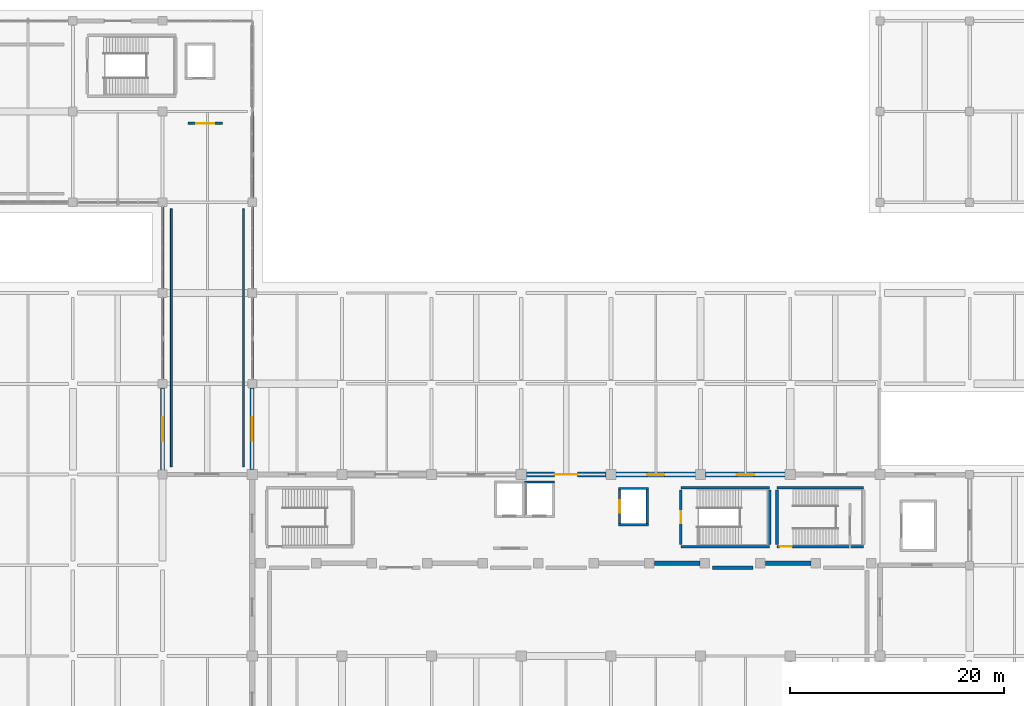
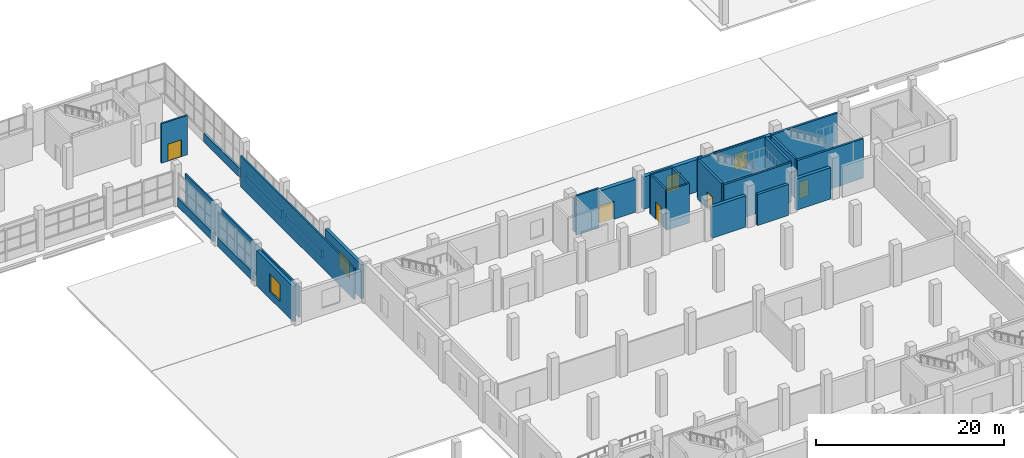
# One storey, part 90 of 107: 28 walls, 5 doors, 4 windows, 9 openings.
"""IFC4 building model written with IfcOpenShell, lengths in metres."""

from ifc_helpers import new_model, si_unit, direction, frame, frame_2d, origin, place, context, subcontext, project, spatial, rectangle, extrude, material, layer, layer_set, type_object, element, fill, save


model = new_model("IFC4")

# Units and contexts
model_context = context("Model", 3, precision=1e-05, world=origin(), true_north=direction((0.0, 1.0)))
body_context = subcontext(model_context, "Body", "Model", "MODEL_VIEW")
ifc_project = project(units=[si_unit("LENGTHUNIT", "METRE"), si_unit("AREAUNIT", "SQUARE_METRE"), si_unit("VOLUMEUNIT", "CUBIC_METRE"), si_unit("PLANEANGLEUNIT", "RADIAN"), si_unit("MASSUNIT", "GRAM", prefix="KILO")], contexts=[model_context])

# Site, building, storey
site_placement = place(None, origin())
site = spatial("IfcSite", under=ifc_project, at=site_placement, CompositionType="ELEMENT")
building_placement = place(site_placement, origin())
building = spatial("IfcBuilding", under=site, at=building_placement, Name="Solvento Point Concert Hall", CompositionType="ELEMENT")
storey_placement = place(building_placement, origin())
storey = spatial("IfcBuildingStorey", under=building, at=storey_placement, Name="L00", CompositionType="ELEMENT", Elevation=0.0)

# Walls
ifc_material_1 = material(Name="Acoustic Double-Stud Gypsum Partition")
ifc_layer_1 = layer(ifc_material_1, 0.179931640625)
ifc_layer_set_1 = layer_set([ifc_layer_1], Name="Acoustic Double-Stud Gypsum Partition")
wall_type_1 = type_object("IfcWallType", Name="AcousticPartition_180", PredefinedType="PARTITIONING", material=ifc_layer_set_1)
for number, where, z_axis, x_axis, name in (
    (1, (73.580078125, 118.3798828125, 0.0), (0.0, 0.0, 1.0), (0.0, -1.0, 0.0), "Interior acoustic partition PW-63 L00"),
    (2, (66.820068359375, 94.219970703125, 0.0), (0.0, 0.0, 1.0), (0.0, 1.0, 0.0), "Interior acoustic partition PW-63 L00"),
):
    element("IfcWall", number, at=place(storey_placement, frame(where, z_axis=z_axis, x_axis=x_axis)), inside=storey, type_object=wall_type_1, Name=name, PredefinedType="PARTITIONING", context=body_context, shape_type="SweptSolid", body=[
        extrude(rectangle(XDim=24.159912109375, YDim=0.179931640625, at=frame_2d((12.080078125, 0.0))), origin(), (0.0, 0.0, 1.0), 4.0400390625),
    ])

# Wall, opening, door
ifc_material_2 = material(Name="Acoustic Double-Stud Gypsum Partition")
ifc_layer_2 = layer(ifc_material_2, 0.2080078125)
ifc_layer_set_2 = layer_set([ifc_layer_2], Name="Acoustic Double-Stud Gypsum Partition")
wall_type_2 = type_object("IfcWallType", Name="AcousticPartition_208", PredefinedType="PARTITIONING", material=ifc_layer_set_2)
wall_1_placement = place(storey_placement, frame((68.39990234375, 126.39990234375, 0.0), z_axis=(0.0, 0.0, 1.0), x_axis=(1.0, 0.0, 0.0)))
wall_1 = element("IfcWall", 3, at=wall_1_placement, inside=storey, type_object=wall_type_2, Name="Lift lobby partition LP-03 L00", PredefinedType="PARTITIONING", context=body_context, shape_type="SweptSolid", body=[
    extrude(rectangle(XDim=3.2001953125, YDim=0.2080078125, at=frame_2d((1.60009765625, 0.0))), origin(), (0.0, 0.0, 1.0), 5.1201171875),
])
opening_1_placement = place(wall_1_placement, frame((0.77490234375, 0.0, 0.0)))
opening_1 = element("IfcOpeningElement", 4, at=opening_1_placement, cuts=wall_1, Name="Opening D-FL1", PredefinedType="OPENING", context=body_context, shape_type="SweptSolid", body=[
    extrude(rectangle(XDim=1.64990234375, YDim=2.199951171875, at=frame_2d((0.824951171875, 1.10009765625))), frame((0.0, 0.114013671875, 0.0), z_axis=(0.0, -1.0, 0.0), x_axis=(1.0, 0.0, 0.0)), (0.0, 0.0, 1.0), 0.22802734375),
])
ifc_material_3 = material(Name="Hollow Metal Acoustic Fire Door")
door_type_1 = type_object("IfcDoorType", Name="FireLobbyDoor_1600", OperationType="DOUBLE_DOOR_SINGLE_SWING", PredefinedType="DOOR", material=ifc_material_3)
door_1_placement = place(opening_1_placement, origin())
door_1 = element("IfcDoor", 5, at=door_1_placement, inside=storey, type_object=door_type_1, Name="Lift lobby door LP-03 L00", OperationType="DOUBLE_DOOR_SINGLE_SWING", OverallHeight=2.199951171875, OverallWidth=1.64990234375, PredefinedType="DOOR", context=body_context, shape_type="SweptSolid", body=[
    extrude(rectangle(XDim=1.64990234375, YDim=2.199951171875, at=frame_2d((0.824951171875, 1.10009765625))), frame((0.0, 0.02490234375, 0.0), z_axis=(0.0, -1.0, 0.0), x_axis=(1.0, 0.0, 0.0)), (0.0, 0.0, 1.0), 0.050048828125),
])
fill(opening_1, door_1)

# Walls
ifc_material_4 = material(Name="Acoustic Double-Stud Gypsum Partition")
ifc_layer_3 = layer(ifc_material_4, 0.340087890625)
ifc_layer_set_3 = layer_set([ifc_layer_3], Name="Acoustic Double-Stud Gypsum Partition")
wall_type_3 = type_object("IfcWallType", Name="AcousticPartition_340", PredefinedType="PARTITIONING", material=ifc_layer_set_3)
wall_2_placement = place(storey_placement, frame((117.5, 84.780029296875, 0.0), z_axis=(0.0, 0.0, 1.0), x_axis=(1.0, 0.0, 0.0)))
element("IfcWall", 6, at=wall_2_placement, inside=storey, type_object=wall_type_3, Name="Interior acoustic partition PW-24 L00", PredefinedType="PARTITIONING", context=body_context, shape_type="SweptSolid", body=[
    extrude(rectangle(XDim=3.800048828125, YDim=0.340087890625, at=frame_2d((1.89990234375, 0.0))), origin(), (0.0, 0.0, 1.0), 4.0400390625),
])
ifc_material_5 = material(Name="Concrete C40/50", Category="concrete")
ifc_layer_4 = layer(ifc_material_5, 0.300048828125)
ifc_layer_set_4 = layer_set([ifc_layer_4], Name="Concrete C40/50")
wall_type_4 = type_object("IfcWallType", Name="CoreShearWall_300", PredefinedType="SHEAR", material=ifc_layer_set_4)
for number, where, z_axis, x_axis, name in (
    (7, (122.85009765625, 86.75, 0.0), (0.0, 0.0, 1.0), (-1.0, 0.0, 0.0), "Stair core shear wall W-SH1 ST-03 L00"),
    (8, (114.550048828125, 92.25, 0.0), (0.0, 0.0, 1.0), (1.0, 0.0, 0.0), "Stair core shear wall W-SH1 ST-03 L00"),
):
    element("IfcWall", number, at=place(storey_placement, frame(where, z_axis=z_axis, x_axis=x_axis)), inside=storey, type_object=wall_type_4, Name=name, PredefinedType="SHEAR", context=body_context, shape_type="SweptSolid", body=[
        extrude(rectangle(XDim=8.300048828125, YDim=0.25, at=frame_2d((4.14990234375, 0.0))), origin(), (0.0, 0.0, 1.0), 5.1201171875),
    ])

# Wall, opening, door
wall_3_placement = place(storey_placement, frame((114.550048828125, 86.949951171875, 0.0), z_axis=(0.0, 0.0, 1.0), x_axis=(0.0, 1.0, 0.0)))
wall_3 = element("IfcWall", 9, at=wall_3_placement, inside=storey, type_object=wall_type_4, Name="Stair core shear wall W-SH1 ST-03 L00", PredefinedType="SHEAR", context=body_context, shape_type="SweptSolid", body=[
    extrude(rectangle(XDim=5.10009765625, YDim=0.25, at=frame_2d((2.550048828125, 0.0))), origin(), (0.0, 0.0, 1.0), 5.1201171875),
])
opening_2_placement = place(wall_3_placement, frame((1.97509765625, 0.0, 0.0)))
opening_2 = element("IfcOpeningElement", 10, at=opening_2_placement, cuts=wall_3, Name="Opening D-ST1", PredefinedType="OPENING", context=body_context, shape_type="SweptSolid", body=[
    extrude(rectangle(XDim=1.14990234375, YDim=2.179931640625, at=frame_2d((0.574951171875, 1.08984375))), frame((0.0, 0.135009765625, 0.0), z_axis=(0.0, -1.0, 0.0), x_axis=(1.0, 0.0, 0.0)), (0.0, 0.0, 1.0), 0.27001953125),
])
ifc_material_6 = material(Name="Hollow Metal Acoustic Fire Door")
door_type_2 = type_object("IfcDoorType", Name="StairFireDoor_1150", OperationType="NOTDEFINED", PredefinedType="DOOR", material=ifc_material_6)
door_2_placement = place(opening_2_placement, origin())
door_2 = element("IfcDoor", 11, at=door_2_placement, inside=storey, type_object=door_type_2, Name="Protected exit stair door ST-03 L00", OperationType="SINGLE_SWING_RIGHT", OverallHeight=2.179931640625, OverallWidth=1.14990234375, PredefinedType="DOOR", context=body_context, shape_type="SweptSolid", body=[
    extrude(rectangle(XDim=1.14990234375, YDim=2.179931640625, at=frame_2d((0.574951171875, 1.08984375))), frame((0.0, 0.02490234375, 0.0), z_axis=(0.0, -1.0, 0.0), x_axis=(1.0, 0.0, 0.0)), (0.0, 0.0, 1.0), 0.050048828125),
])
fill(opening_2, door_2)

# Wall
wall_4_placement = place(storey_placement, frame((122.85009765625, 92.050048828125, 0.0), z_axis=(0.0, 0.0, 1.0), x_axis=(0.0, -1.0, 0.0)))
element("IfcWall", 12, at=wall_4_placement, inside=storey, type_object=wall_type_4, Name="Stair core shear wall W-SH1 ST-03 L00", PredefinedType="SHEAR", context=body_context, shape_type="SweptSolid", body=[
    extrude(rectangle(XDim=5.10009765625, YDim=0.25, at=frame_2d((2.550048828125, 0.0))), origin(), (0.0, 0.0, 1.0), 5.1201171875),
])

# Wall, opening, door
wall_5_placement = place(storey_placement, frame((131.64990234375, 86.75, 0.0), z_axis=(0.0, 0.0, 1.0), x_axis=(-1.0, 0.0, 0.0)))
wall_5 = element("IfcWall", 13, at=wall_5_placement, inside=storey, type_object=wall_type_4, Name="Stair core shear wall W-SH1 VOM-04 L00", PredefinedType="SHEAR", context=body_context, shape_type="SweptSolid", body=[
    extrude(rectangle(XDim=8.099853515625, YDim=0.25, at=frame_2d((4.0498046875, 0.0))), origin(), (0.0, 0.0, 1.0), 5.1201171875),
])
opening_3_placement = place(wall_5_placement, frame((6.699951171875, 0.0, 0.0)))
opening_3 = element("IfcOpeningElement", 14, at=opening_3_placement, cuts=wall_5, Name="Opening D-ST1", PredefinedType="OPENING", context=body_context, shape_type="SweptSolid", body=[
    extrude(rectangle(XDim=1.14990234375, YDim=2.179931640625, at=frame_2d((0.574951171875, 1.08984375))), frame((0.0, 0.135009765625, 0.0), z_axis=(0.0, -1.0, 0.0), x_axis=(1.0, 0.0, 0.0)), (0.0, 0.0, 1.0), 0.27001953125),
])
door_3_placement = place(opening_3_placement, origin())
door_3 = element("IfcDoor", 15, at=door_3_placement, inside=storey, type_object=door_type_2, Name="Protected exit stair door VOM-04 L00", OperationType="SINGLE_SWING_RIGHT", OverallHeight=2.179931640625, OverallWidth=1.14990234375, PredefinedType="DOOR", context=body_context, shape_type="SweptSolid", body=[
    extrude(rectangle(XDim=1.14990234375, YDim=2.179931640625, at=frame_2d((0.574951171875, 1.08984375))), frame((0.0, 0.02490234375, 0.0), z_axis=(0.0, -1.0, 0.0), x_axis=(1.0, 0.0, 0.0)), (0.0, 0.0, 1.0), 0.050048828125),
])
fill(opening_3, door_3)

# Walls
wall_6_placement = place(storey_placement, frame((123.550048828125, 92.25, 0.0), z_axis=(0.0, 0.0, 1.0), x_axis=(1.0, 0.0, 0.0)))
element("IfcWall", 16, at=wall_6_placement, inside=storey, type_object=wall_type_4, Name="Stair core shear wall W-SH1 VOM-04 L00", PredefinedType="SHEAR", context=body_context, shape_type="SweptSolid", body=[
    extrude(rectangle(XDim=8.099853515625, YDim=0.25, at=frame_2d((4.0498046875, 0.0))), origin(), (0.0, 0.0, 1.0), 5.1201171875),
])
wall_7_placement = place(storey_placement, frame((123.550048828125, 86.949951171875, 0.0), z_axis=(0.0, 0.0, 1.0), x_axis=(0.0, 1.0, 0.0)))
element("IfcWall", 17, at=wall_7_placement, inside=storey, type_object=wall_type_4, Name="Stair core shear wall W-SH1 VOM-04 L00", PredefinedType="SHEAR", context=body_context, shape_type="SweptSolid", body=[
    extrude(rectangle(XDim=5.10009765625, YDim=0.25, at=frame_2d((2.550048828125, 0.0))), origin(), (0.0, 0.0, 1.0), 5.1201171875),
])
for number, where, z_axis, x_axis, name in (
    (18, (108.68994140625, 88.800048828125, 0.0), (0.0, 0.0, 1.0), (1.0, 0.0, 0.0), "Elevator shaft shear wall W-SH1 LF-02 L00"),
    (19, (108.68994140625, 92.199951171875, 0.0), (0.0, 0.0, 1.0), (1.0, 0.0, 0.0), "Elevator shaft shear wall W-SH1 LF-02 L00"),
):
    element("IfcWall", number, at=place(storey_placement, frame(where, z_axis=z_axis, x_axis=x_axis)), inside=storey, type_object=wall_type_4, Name=name, PredefinedType="SHEAR", context=body_context, shape_type="SweptSolid", body=[
        extrude(rectangle(XDim=2.820068359375, YDim=0.219970703125, at=frame_2d((1.41015625, 0.0))), origin(), (0.0, 0.0, 1.0), 5.1201171875),
    ])

# Wall, opening, door
wall_8_placement = place(storey_placement, frame((108.800048828125, 88.909912109375, 0.0), z_axis=(0.0, 0.0, 1.0), x_axis=(0.0, 1.0, 0.0)))
wall_8 = element("IfcWall", 20, at=wall_8_placement, inside=storey, type_object=wall_type_4, Name="Elevator shaft shear wall W-SH1 LF-02 L00", PredefinedType="SHEAR", context=body_context, shape_type="SweptSolid", body=[
    extrude(rectangle(XDim=3.18017578125, YDim=0.219970703125, at=frame_2d((1.590087890625, 0.0))), origin(), (0.0, 0.0, 1.0), 5.1201171875),
])
opening_4_placement = place(wall_8_placement, frame((0.989990234375, 0.0, 0.0)))
opening_4 = element("IfcOpeningElement", 21, at=opening_4_placement, cuts=wall_8, Name="Opening LD-01", PredefinedType="OPENING", context=body_context, shape_type="SweptSolid", body=[
    extrude(rectangle(XDim=1.199951171875, YDim=2.25, at=frame_2d((0.60009765625, 1.125))), frame((0.0, 0.119873046875, 0.0), z_axis=(0.0, -1.0, 0.0), x_axis=(1.0, 0.0, 0.0)), (0.0, 0.0, 1.0), 0.239990234375),
])
ifc_material_7 = material(Name="Hollow Metal Acoustic Fire Door")
door_type_3 = type_object("IfcDoorType", Name="LiftLandingDoor_FF", OperationType="SLIDING_TO_LEFT", PredefinedType="DOOR", material=ifc_material_7)
door_4_placement = place(opening_4_placement, origin())
door_4 = element("IfcDoor", 22, at=door_4_placement, inside=storey, type_object=door_type_3, Name="Elevator landing door LF-02 L00", OperationType="SLIDING_TO_LEFT", OverallHeight=2.25, OverallWidth=1.199951171875, PredefinedType="DOOR", context=body_context, shape_type="SweptSolid", body=[
    extrude(rectangle(XDim=1.199951171875, YDim=2.25, at=frame_2d((0.60009765625, 1.125))), frame((0.0, 0.02490234375, 0.0), z_axis=(0.0, -1.0, 0.0), x_axis=(1.0, 0.0, 0.0)), (0.0, 0.0, 1.0), 0.050048828125),
])
fill(opening_4, door_4)

# Walls
wall_9_placement = place(storey_placement, frame((111.39990234375, 88.909912109375, 0.0), z_axis=(0.0, 0.0, 1.0), x_axis=(0.0, 1.0, 0.0)))
element("IfcWall", 23, at=wall_9_placement, inside=storey, type_object=wall_type_4, Name="Elevator shaft shear wall W-SH1 LF-02 L00", PredefinedType="SHEAR", context=body_context, shape_type="SweptSolid", body=[
    extrude(rectangle(XDim=3.18017578125, YDim=0.219970703125, at=frame_2d((1.590087890625, 0.0))), origin(), (0.0, 0.0, 1.0), 5.1201171875),
])
wall_10_placement = place(storey_placement, frame((99.909912109375, 92.800048828125, 0.0), z_axis=(0.0, 0.0, 1.0), x_axis=(1.0, 0.0, 0.0)))
element("IfcWall", 24, at=wall_10_placement, inside=storey, type_object=wall_type_4, Name="Elevator shaft shear wall W-SH1 LP-02 L00", PredefinedType="SHEAR", context=body_context, shape_type="SweptSolid", body=[
    extrude(rectangle(XDim=2.800048828125, YDim=0.219970703125, at=frame_2d((1.39990234375, 0.0))), origin(), (0.0, 0.0, 1.0), 5.1201171875),
])
ifc_material_8 = material(Name="Concrete C40/50", Category="concrete")
ifc_layer_5 = layer(ifc_material_8, 0.39990234375)
ifc_layer_set_5 = layer_set([ifc_layer_5], Name="Concrete C40/50")
wall_type_5 = type_object("IfcWallType", Name="DrumShearWall_400", PredefinedType="SHEAR", material=ifc_layer_set_5)
for number, where, z_axis, x_axis, name in (
    (25, (112.080078125, 85.199951171875, 0.0), (0.0, 0.0, 1.0), (1.0, 0.0, 0.0), "Symphonic acoustic drum shear wall W-DR1 L00"),
    (26, (122.47998046875, 85.199951171875, 0.0), (0.0, 0.0, 1.0), (1.0, 0.0, 0.0), "Symphonic acoustic drum shear wall W-DR1 L00"),
):
    element("IfcWall", number, at=place(storey_placement, frame(where, z_axis=z_axis, x_axis=x_axis)), inside=storey, type_object=wall_type_5, Name=name, PredefinedType="SHEAR", context=body_context, shape_type="SweptSolid", body=[
        extrude(rectangle(XDim=4.239990234375, YDim=0.39990234375, at=frame_2d((2.1201171875, 0.0))), origin(), (0.0, 0.0, 1.0), 4.070068359375),
    ])

# Wall, opening, door
ifc_material_9 = material(Name="Concrete C40/50", Category="concrete")
ifc_layer_6 = layer(ifc_material_9, 0.47998046875)
ifc_layer_set_6 = layer_set([ifc_layer_6], Name="Concrete C40/50")
wall_type_6 = type_object("IfcWallType", Name="ExtWall_V1_Drum_480", PredefinedType="SOLIDWALL", material=ifc_layer_set_6)
wall_11_placement = place(storey_placement, frame((100.054931640625, 93.5, 0.0), z_axis=(0.0, 0.0, 1.0), x_axis=(1.0, 0.0, 0.0)))
wall_11 = element("IfcWall", 27, at=wall_11_placement, inside=storey, type_object=wall_type_6, Name="Exterior architectural concrete wall EW-46 L00", PredefinedType="SOLIDWALL", context=body_context, shape_type="SweptSolid", body=[
    extrude(rectangle(XDim=7.489990234375, YDim=0.47998046875, at=frame_2d((3.7451171875, 0.0))), origin(), (0.0, 0.0, 1.0), 4.27099609375),
])
opening_5_placement = place(wall_11_placement, frame((2.669921875, 0.0, 0.0)))
opening_5 = element("IfcOpeningElement", 28, at=opening_5_placement, cuts=wall_11, Name="Opening ED-04", PredefinedType="OPENING", context=body_context, shape_type="SweptSolid", body=[
    extrude(rectangle(XDim=2.14990234375, YDim=2.3798828125, at=frame_2d((1.074951171875, 1.18994140625))), frame((0.0, 0.25, 0.0), z_axis=(0.0, -1.0, 0.0), x_axis=(1.0, 0.0, 0.0)), (0.0, 0.0, 1.0), 0.5),
])
ifc_material_10 = material(Name="Anodized Bronze Aluminium", Category="aluminium")
door_type_4 = type_object("IfcDoorType", Name="PedestrianExitDoor_ED-04", OperationType="DOUBLE_DOOR_SINGLE_SWING", PredefinedType="DOOR", material=ifc_material_10)
door_5_placement = place(opening_5_placement, origin())
door_5 = element("IfcDoor", 29, at=door_5_placement, inside=storey, type_object=door_type_4, Name="Courtyard promenade pedestrian exit double door ED-04", OperationType="DOUBLE_DOOR_SINGLE_SWING", OverallHeight=2.3798828125, OverallWidth=2.14990234375, PredefinedType="DOOR", context=body_context, shape_type="SweptSolid", body=[
    extrude(rectangle(XDim=2.14990234375, YDim=2.3798828125, at=frame_2d((1.074951171875, 1.18994140625))), frame((0.0, 0.02490234375, 0.0), z_axis=(0.0, -1.0, 0.0), x_axis=(1.0, 0.0, 0.0)), (0.0, 0.0, 1.0), 0.050048828125),
])
fill(opening_5, door_5)

# Wall, opening, window
wall_12_placement = place(storey_placement, frame((108.455078125, 93.5, 0.0), z_axis=(0.0, 0.0, 1.0), x_axis=(1.0, 0.0, 0.0)))
wall_12 = element("IfcWall", 30, at=wall_12_placement, inside=storey, type_object=wall_type_6, Name="Exterior architectural concrete wall EW-46 L00", PredefinedType="SOLIDWALL", context=body_context, shape_type="SweptSolid", body=[
    extrude(rectangle(XDim=7.489990234375, YDim=0.47998046875, at=frame_2d((3.7451171875, 0.0))), origin(), (0.0, 0.0, 1.0), 4.194091796875),
])
opening_6_placement = place(wall_12_placement, frame((2.945068359375, 0.0, 0.949951171875)))
opening_6 = element("IfcOpeningElement", 31, at=opening_6_placement, cuts=wall_12, Name="Opening WN-44", PredefinedType="OPENING", context=body_context, shape_type="SweptSolid", body=[
    extrude(rectangle(XDim=1.60009765625, YDim=2.199951171875, at=frame_2d((0.800048828125, 1.10009765625))), frame((0.0, 0.25, 0.0), z_axis=(0.0, -1.0, 0.0), x_axis=(1.0, 0.0, 0.0)), (0.0, 0.0, 1.0), 0.5),
])
ifc_material_11 = material(Name="Hurricane Laminated Low-E Glass", Category="glass")
window_type_1 = type_object("IfcWindowType", Name="Win_V1_GroundGallery", PartitioningType="SINGLE_PANEL", PredefinedType="WINDOW", material=ifc_material_11)
window_1_placement = place(opening_6_placement, origin())
window_1 = element("IfcWindow", 32, at=window_1_placement, inside=storey, type_object=window_type_1, Name="Impact acoustic window WN-44", OverallHeight=2.199951171875, OverallWidth=1.60009765625, PartitioningType="SINGLE_PANEL", PredefinedType="WINDOW", context=body_context, shape_type="SweptSolid", body=[
    extrude(rectangle(XDim=1.60009765625, YDim=2.199951171875, at=frame_2d((0.800048828125, 1.10009765625))), frame((0.0, 0.030029296875, 0.0), z_axis=(0.0, -1.0, 0.0), x_axis=(1.0, 0.0, 0.0)), (0.0, 0.0, 1.0), 0.06005859375),
])
fill(opening_6, window_1)

wall_13_placement = place(storey_placement, frame((116.85498046875, 93.5, 0.0), z_axis=(0.0, 0.0, 1.0), x_axis=(1.0, 0.0, 0.0)))
wall_13 = element("IfcWall", 33, at=wall_13_placement, inside=storey, type_object=wall_type_6, Name="Exterior architectural concrete wall EW-46 L00", PredefinedType="SOLIDWALL", context=body_context, shape_type="SweptSolid", body=[
    extrude(rectangle(XDim=7.489990234375, YDim=0.47998046875, at=frame_2d((3.7451171875, 0.0))), origin(), (0.0, 0.0, 1.0), 4.10498046875),
])
opening_7_placement = place(wall_13_placement, frame((2.945068359375, 0.0, 0.949951171875)))
opening_7 = element("IfcOpeningElement", 34, at=opening_7_placement, cuts=wall_13, Name="Opening WN-44", PredefinedType="OPENING", context=body_context, shape_type="SweptSolid", body=[
    extrude(rectangle(XDim=1.60009765625, YDim=2.199951171875, at=frame_2d((0.800048828125, 1.10009765625))), frame((0.0, 0.25, 0.0), z_axis=(0.0, -1.0, 0.0), x_axis=(1.0, 0.0, 0.0)), (0.0, 0.0, 1.0), 0.5),
])
window_2_placement = place(opening_7_placement, origin())
window_2 = element("IfcWindow", 35, at=window_2_placement, inside=storey, type_object=window_type_1, Name="Impact acoustic window WN-44", OverallHeight=2.199951171875, OverallWidth=1.60009765625, PartitioningType="SINGLE_PANEL", PredefinedType="WINDOW", context=body_context, shape_type="SweptSolid", body=[
    extrude(rectangle(XDim=1.60009765625, YDim=2.199951171875, at=frame_2d((0.800048828125, 1.10009765625))), frame((0.0, 0.030029296875, 0.0), z_axis=(0.0, -1.0, 0.0), x_axis=(1.0, 0.0, 0.0)), (0.0, 0.0, 1.0), 0.06005859375),
])
fill(opening_7, window_2)

ifc_material_12 = material(Name="Concrete C40/50", Category="concrete")
ifc_layer_7 = layer(ifc_material_12, 0.3701171875)
ifc_layer_set_7 = layer_set([ifc_layer_7], Name="Concrete C40/50")
wall_type_7 = type_object("IfcWallType", Name="ExtWall_V4_Reh_370", PredefinedType="SOLIDWALL", material=ifc_layer_set_7)
wall_14_placement = place(storey_placement, frame((66.0, 93.889892578125, 0.0), z_axis=(0.0, 0.0, 1.0), x_axis=(0.0, 1.0, 0.0)))
wall_14 = element("IfcWall", 36, at=wall_14_placement, inside=storey, type_object=wall_type_7, Name="Exterior architectural concrete wall EW-85 L00", PredefinedType="SOLIDWALL", context=body_context, shape_type="SweptSolid", body=[
    extrude(rectangle(XDim=7.72021484375, YDim=0.3701171875, at=frame_2d((3.860107421875, 0.0))), origin(), (0.0, 0.0, 1.0), 4.574951171875),
])
opening_8_placement = place(wall_14_placement, frame((2.760009765625, 0.0, 0.949951171875)))
opening_8 = element("IfcOpeningElement", 37, at=opening_8_placement, cuts=wall_14, Name="Opening WN-82", PredefinedType="OPENING", context=body_context, shape_type="SweptSolid", body=[
    extrude(rectangle(XDim=2.199951171875, YDim=2.25, at=frame_2d((1.10009765625, 1.125))), frame((0.0, 0.195068359375, 0.0), z_axis=(0.0, -1.0, 0.0), x_axis=(1.0, 0.0, 0.0)), (0.0, 0.0, 1.0), 0.39013671875),
])
ifc_material_13 = material(Name="Hurricane Laminated Low-E Glass", Category="glass")
window_type_2 = type_object("IfcWindowType", Name="Win_V4_Seminar_L00", PartitioningType="SINGLE_PANEL", PredefinedType="WINDOW", material=ifc_material_13)
window_3_placement = place(opening_8_placement, origin())
window_3 = element("IfcWindow", 38, at=window_3_placement, inside=storey, type_object=window_type_2, Name="Impact acoustic window WN-82", OverallHeight=2.25, OverallWidth=2.199951171875, PartitioningType="SINGLE_PANEL", PredefinedType="WINDOW", context=body_context, shape_type="SweptSolid", body=[
    extrude(rectangle(XDim=2.199951171875, YDim=2.25, at=frame_2d((1.10009765625, 1.125))), frame((0.0, 0.030029296875, 0.0), z_axis=(0.0, -1.0, 0.0), x_axis=(1.0, 0.0, 0.0)), (0.0, 0.0, 1.0), 0.06005859375),
])
fill(opening_8, window_3)

wall_15_placement = place(storey_placement, frame((74.39990234375, 101.610107421875, 0.0), z_axis=(0.0, 0.0, 1.0), x_axis=(0.0, -1.0, 0.0)))
wall_15 = element("IfcWall", 39, at=wall_15_placement, inside=storey, type_object=wall_type_7, Name="Exterior architectural concrete wall EW-85 L00", PredefinedType="SOLIDWALL", context=body_context, shape_type="SweptSolid", body=[
    extrude(rectangle(XDim=7.655029296875, YDim=0.3701171875, at=frame_2d((3.82763671875, 0.0))), origin(), (0.0, 0.0, 1.0), 4.430908203125),
])
opening_9_placement = place(wall_15_placement, frame((2.7275390625, 0.0, 0.949951171875)))
opening_9 = element("IfcOpeningElement", 40, at=opening_9_placement, cuts=wall_15, Name="Opening WN-82", PredefinedType="OPENING", context=body_context, shape_type="SweptSolid", body=[
    extrude(rectangle(XDim=2.199951171875, YDim=2.25, at=frame_2d((1.10009765625, 1.125))), frame((0.0, 0.195068359375, 0.0), z_axis=(0.0, -1.0, 0.0), x_axis=(1.0, 0.0, 0.0)), (0.0, 0.0, 1.0), 0.39013671875),
])
window_4_placement = place(opening_9_placement, origin())
window_4 = element("IfcWindow", 41, at=window_4_placement, inside=storey, type_object=window_type_2, Name="Impact acoustic window WN-82", OverallHeight=2.25, OverallWidth=2.199951171875, PartitioningType="SINGLE_PANEL", PredefinedType="WINDOW", context=body_context, shape_type="SweptSolid", body=[
    extrude(rectangle(XDim=2.199951171875, YDim=2.25, at=frame_2d((1.10009765625, 1.125))), frame((0.0, 0.030029296875, 0.0), z_axis=(0.0, -1.0, 0.0), x_axis=(1.0, 0.0, 0.0)), (0.0, 0.0, 1.0), 0.06005859375),
])
fill(opening_9, window_4)

# Walls
ifc_material_14 = material(Name="Concrete C40/50", Category="concrete")
ifc_layer_8 = layer(ifc_material_14, 0.260009765625)
ifc_layer_set_8 = layer_set([ifc_layer_8], Name="Concrete C40/50")
wall_type_8 = type_object("IfcWallType", Name="Parapet_Ring_260", PredefinedType="PARAPET", material=ifc_layer_set_8)
for number, where, z_axis, x_axis, name in (
    (42, (66.0, 102.429931640625, 0.0), (0.0, 0.0, 1.0), (0.0, 1.0, 0.0), "Sliding elliptical white concrete ring spandrel PR-01 L00"),
    (43, (66.0, 110.929931640625, 0.0), (0.0, 0.0, 1.0), (0.0, 1.0, 0.0), "Sliding elliptical white concrete ring spandrel PR-01 L00"),
):
    element("IfcWall", number, at=place(storey_placement, frame(where, z_axis=z_axis, x_axis=x_axis)), inside=storey, type_object=wall_type_8, Name=name, PredefinedType="PARAPET", context=body_context, shape_type="SweptSolid", body=[
        extrude(rectangle(XDim=7.64013671875, YDim=0.260009765625, at=frame_2d((3.820068359375, 0.0))), origin(), (0.0, 0.0, 1.0), 1.1201171875),
    ])
wall_16_placement = place(storey_placement, frame((74.39990234375, 127.5, 0.0), z_axis=(0.0, 0.0, 1.0), x_axis=(0.0, -1.0, 0.0)))
element("IfcWall", 44, at=wall_16_placement, inside=storey, type_object=wall_type_8, Name="Sliding elliptical white concrete ring spandrel PR-01 L00", PredefinedType="PARAPET", context=body_context, shape_type="SweptSolid", body=[
    extrude(rectangle(XDim=8.070068359375, YDim=0.260009765625, at=frame_2d((4.03515625, 0.0))), origin(), (0.0, 0.0, 1.0), 1.1201171875),
])
for number, where, z_axis, x_axis, name in (
    (45, (74.39990234375, 110.070068359375, 0.0), (0.0, 0.0, 1.0), (0.0, -1.0, 0.0), "Sliding elliptical white concrete ring spandrel PR-01 L00"),
    (46, (74.39990234375, 118.570068359375, 0.0), (0.0, 0.0, 1.0), (0.0, -1.0, 0.0), "Sliding elliptical white concrete ring spandrel PR-01 L00"),
):
    element("IfcWall", number, at=place(storey_placement, frame(where, z_axis=z_axis, x_axis=x_axis)), inside=storey, type_object=wall_type_8, Name=name, PredefinedType="PARAPET", context=body_context, shape_type="SweptSolid", body=[
        extrude(rectangle(XDim=7.64013671875, YDim=0.260009765625, at=frame_2d((3.820068359375, 0.0))), origin(), (0.0, 0.0, 1.0), 1.1201171875),
    ])

save(model, "model.ifc")
